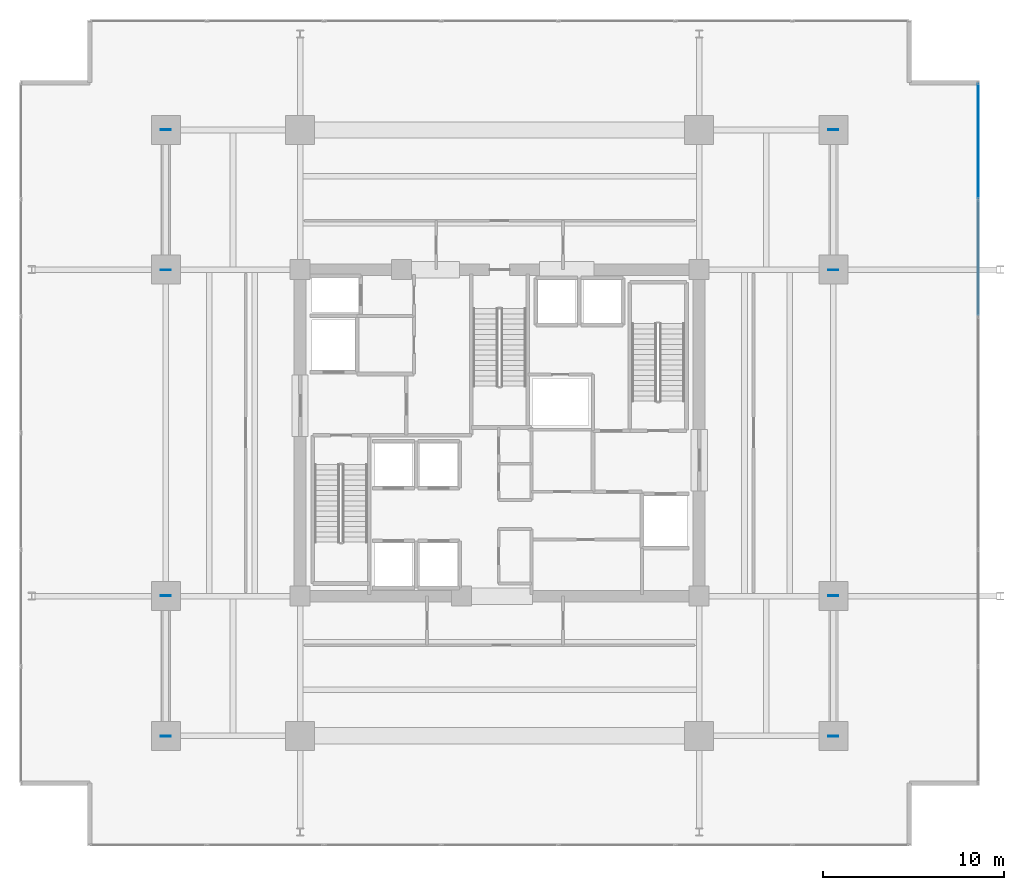
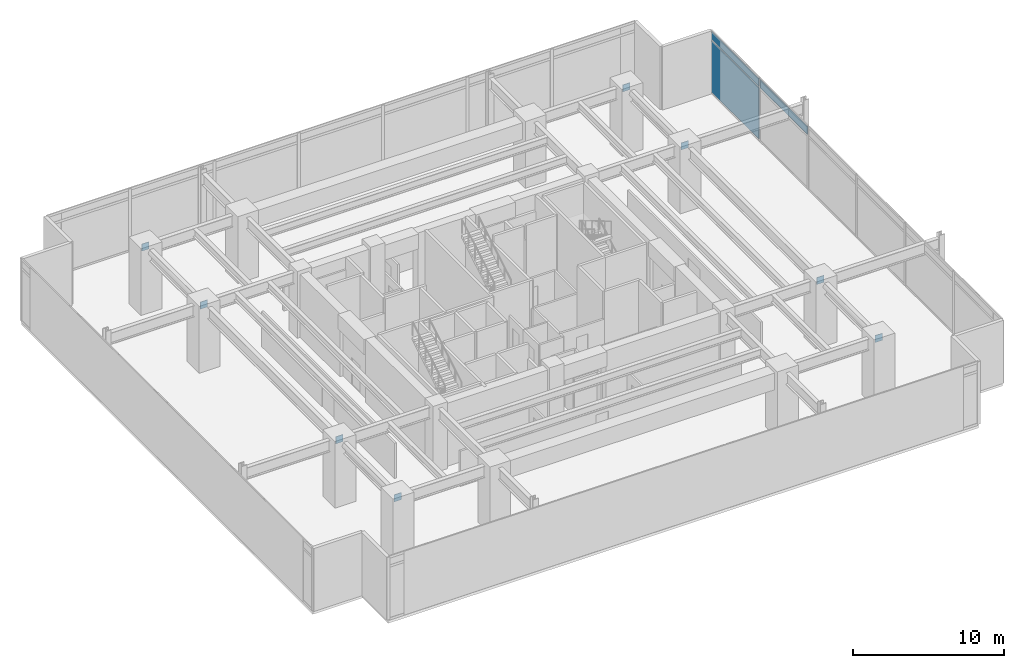
# One storey, part 19 of 23: 11 plates, 1 element without a shape of its own.
"""IFC4 building model written with IfcOpenShell, lengths in metres."""

from ifc_helpers import new_model, si_unit, direction, frame, origin, origin_2d, place, context, subcontext, project, spatial, rectangle, extrude, material, layer, layer_set, type_object, element, aggregate, save


model = new_model("IFC4")

# Units and contexts
model_context = context("Model", 3, precision=1e-05, world=origin(), true_north=direction((0.0, 1.0)))
body_context = subcontext(model_context, "Body", "Model", "MODEL_VIEW")
ifc_project = project(units=[si_unit("LENGTHUNIT", "METRE"), si_unit("AREAUNIT", "SQUARE_METRE"), si_unit("VOLUMEUNIT", "CUBIC_METRE"), si_unit("PLANEANGLEUNIT", "RADIAN"), si_unit("MASSUNIT", "GRAM", prefix="KILO")], contexts=[model_context])

# Site, building, storey
site_placement = place(None, origin())
site = spatial("IfcSite", under=ifc_project, at=site_placement, CompositionType="ELEMENT")
building_placement = place(site_placement, origin())
building = spatial("IfcBuilding", under=site, at=building_placement, Name="Kovane Verandah Tower", CompositionType="ELEMENT")
storey_placement = place(building_placement, frame((0.0, 0.0, 107.60009765625)))
storey = spatial("IfcBuildingStorey", under=building, at=storey_placement, Name="L25", CompositionType="ELEMENT", Elevation=107.60009765625)

# Plates
ifc_material_1 = material(Name="Steel S460", Category="steel")
ifc_layer_1 = layer(ifc_material_1, 0.050048828125)
ifc_layer_set_1 = layer_set([ifc_layer_1], Name="Steel S460")
plate_type_1 = type_object("IfcPlateType", Name="PL-CAP-50", PredefinedType="SHEET", material=ifc_layer_set_1)
for number, where, z_axis, x_axis, name in (
    (1, (21.60009765625, 10.780029296875, 4.539794921875), (0.0, 0.0, 1.0), (0.0, 1.0, 0.0), "BT-CH-BW1-L25-P0"),
    (2, (21.60009765625, 18.52001953125, 4.539794921875), (0.0, 0.0, 1.0), (0.0, 1.0, 0.0), "BT-CH-BW1-L25-P1"),
    (3, (21.60009765625, 36.47998046875, 4.539794921875), (0.0, 0.0, 1.0), (0.0, 1.0, 0.0), "BT-CH-BW2-L25-P0"),
    (4, (21.60009765625, 44.219970703125, 4.539794921875), (0.0, 0.0, 1.0), (0.0, 1.0, 0.0), "BT-CH-BW2-L25-P1"),
    (5, (58.39990234375, 10.780029296875, 4.539794921875), (0.0, 0.0, 1.0), (0.0, 1.0, 0.0), "BT-CH-BE1-L25-P0"),
    (6, (58.39990234375, 18.52001953125, 4.539794921875), (0.0, 0.0, 1.0), (0.0, 1.0, 0.0), "BT-CH-BE1-L25-P1"),
    (7, (58.39990234375, 36.47998046875, 4.539794921875), (0.0, 0.0, 1.0), (0.0, 1.0, 0.0), "BT-CH-BE2-L25-P0"),
    (8, (58.39990234375, 44.219970703125, 4.539794921875), (0.0, 0.0, 1.0), (0.0, 1.0, 0.0), "BT-CH-BE2-L25-P1"),
):
    element("IfcPlate", number, at=place(storey_placement, frame(where, z_axis=z_axis, x_axis=x_axis)), inside=storey, type_object=plate_type_1, Name=name, PredefinedType="SHEET", context=body_context, shape_type="SweptSolid", body=[
        extrude(rectangle(XDim=0.050048828125, YDim=0.56005859375, at=origin_2d()), origin(), (0.0, 0.0, 1.0), 0.56005859375),
    ])

# Curtain wall, plates
ifc_material_2 = material(Name="Champagne Anodised Aluminium Frame with Low-E Clear Laminated Glass", Category="aluminium")
curtain_wall_type = type_object("IfcCurtainWallType", Name="CW-SYS-02-LOW", PredefinedType="NOTDEFINED", material=ifc_material_2)
curtain_wall_placement = place(storey_placement, origin())
curtain_wall = element("IfcCurtainWall", 9, at=curtain_wall_placement, inside=storey, type_object=curtain_wall_type, Name="L25 E Unitised Curtain Wall", PredefinedType="NOTDEFINED")
ifc_material_3 = material(Name="Pale Champagne Anodised Aluminium Insulated Spandrel", Category="aluminium")
ifc_layer_2 = layer(ifc_material_3, 0.0400390625)
ifc_layer_set_2 = layer_set([ifc_layer_2], Name="Pale Champagne Anodised Aluminium Insulated Spandrel")
plate_type_2 = type_object("IfcPlateType", Name="PL-CW-SPD-40", PredefinedType="SHEET", material=ifc_layer_set_2)
plate_1_placement = place(storey_placement, frame((66.386962890625, 37.155517578125, 4.3701171875), z_axis=(0.0, 0.0, 1.0), x_axis=(0.0, 1.0, 0.0)))
plate_1 = element("IfcPlate", 10, at=plate_1_placement, type_object=plate_type_2, Name="L25 E Unitised Curtain Wall Spandrel Panel 5", PredefinedType="SHEET", context=body_context, shape_type="SweptSolid", body=[
    extrude(rectangle(XDim=6.297119140625, YDim=0.0400390625, at=origin_2d()), origin(), (0.0, 0.0, 1.0), 0.639892578125),
])
plate_2_placement = place(storey_placement, frame((66.386962890625, 43.59228515625, 4.3701171875), z_axis=(0.0, 0.0, 1.0), x_axis=(0.0, 1.0, 0.0)))
plate_2 = element("IfcPlate", 11, at=plate_2_placement, type_object=plate_type_2, Name="L25 E Unitised Curtain Wall Spandrel Panel 6", PredefinedType="SHEET", context=body_context, shape_type="SweptSolid", body=[
    extrude(rectangle(XDim=6.297119140625, YDim=0.0400390625, at=origin_2d()), origin(), (0.0, 0.0, 1.0), 0.639892578125),
])
ifc_material_4 = material(Name="Clear Low-E Laminated Double Glazing", Category="glass")
ifc_layer_3 = layer(ifc_material_4, 0.031982421875)
ifc_layer_set_3 = layer_set([ifc_layer_3], Name="Clear Low-E Laminated Double Glazing")
plate_type_3 = type_object("IfcPlateType", Name="PL-CW-VIS-32", PredefinedType="CURTAIN_PANEL", material=ifc_layer_set_3)
plate_3_placement = place(storey_placement, frame((66.386962890625, 43.59228515625, 0.099853515625), z_axis=(0.0, 0.0, 1.0), x_axis=(0.0, 1.0, 0.0)))
plate_3 = element("IfcPlate", 12, at=plate_3_placement, type_object=plate_type_3, Name="L25 E Unitised Curtain Wall Vision Panel 6", PredefinedType="CURTAIN_PANEL", context=body_context, shape_type="SweptSolid", body=[
    extrude(rectangle(XDim=6.297119140625, YDim=0.031982421875, at=origin_2d()), origin(), (0.0, 0.0, 1.0), 4.169921875),
])
aggregate(curtain_wall, [plate_1, plate_3, plate_2])

save(model, "model.ifc")
